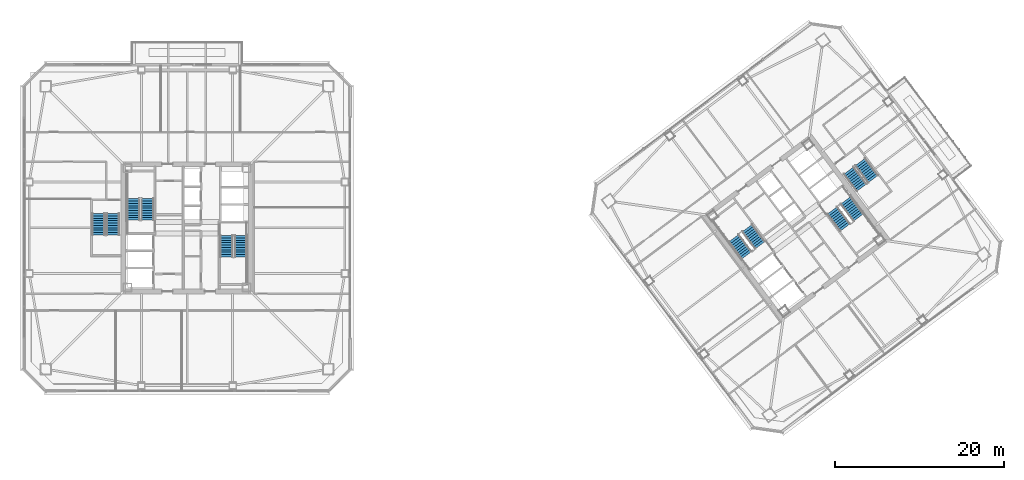
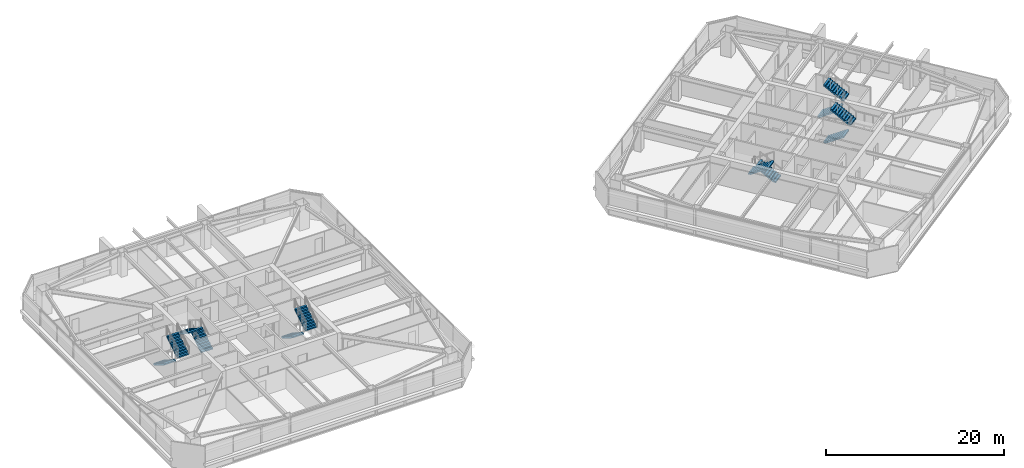
# One storey, part 38 of 44: 12 stair flights, 6 elements without a shape of their own.
"""IFC4 building model written with IfcOpenShell, lengths in metres."""

from ifc_helpers import new_model, si_unit, direction, frame, origin, place, context, subcontext, project, spatial, polyline, outline, extrude, material, type_object, element, aggregate, save


model = new_model("IFC4")

# Units and contexts
model_context = context("Model", 3, precision=1e-05, world=origin(), true_north=direction((0.0, 1.0)))
body_context = subcontext(model_context, "Body", "Model", "MODEL_VIEW")
ifc_project = project(units=[si_unit("LENGTHUNIT", "METRE"), si_unit("AREAUNIT", "SQUARE_METRE"), si_unit("VOLUMEUNIT", "CUBIC_METRE"), si_unit("PLANEANGLEUNIT", "RADIAN"), si_unit("MASSUNIT", "GRAM", prefix="KILO")], contexts=[model_context])

# Site, building, storey
site_placement = place(None, origin())
site = spatial("IfcSite", under=ifc_project, at=site_placement, CompositionType="ELEMENT")
building_placement = place(site_placement, origin())
building = spatial("IfcBuilding", under=site, at=building_placement, Name="Tashvorn Skyway Center", CompositionType="ELEMENT")
storey_placement = place(building_placement, frame((0.0, 0.0, 149.89990234375)))
storey = spatial("IfcBuildingStorey", under=building, at=storey_placement, Name="L40", CompositionType="ELEMENT", Elevation=149.89990234375)

# Stair, stair flights
ifc_material = material(Name="Concrete C40/50", Category="concrete")
stair_type = type_object("IfcStairType", Name="STAIR-CORE-1500", PredefinedType="HALF_TURN_STAIR", material=ifc_material)
stair_1_placement = place(storey_placement, origin())
stair_1 = element("IfcStair", 1, at=stair_1_placement, inside=storey, type_object=stair_type, Name="L40 Tower 1 Exit Stair 1", PredefinedType="HALF_TURN_STAIR")
stair_flight_type = type_object("IfcStairFlightType", Name="SFLIGHT-1500", PredefinedType="STRAIGHT", material=ifc_material)
stair_flight_1_placement = place(storey_placement, frame((37.35009765625, 32.919921875, 0.0), z_axis=(0.0, 0.0, 1.0), x_axis=(0.0, 1.0, 0.0)))
stair_flight_1 = element("IfcStairFlight", 2, at=stair_flight_1_placement, type_object=stair_flight_type, Name="ST-T1-1 flight 1", NumberOfRisers=10, NumberOfTreads=9, PredefinedType="STRAIGHT", RiserHeight=0.1775, TreadLength=0.28, context=body_context, shape_type="SweptSolid", body=[
    extrude(outline(polyline([(0.0, 0.0), (0.0, 0.177490234375), (0.280029296875, 0.177490234375), (0.280029296875, 0.35498046875), (0.56005859375, 0.35498046875), (0.56005859375, 0.532470703125), (0.840087890625, 0.532470703125), (0.840087890625, 0.7099609375), (1.1201171875, 0.7099609375), (1.1201171875, 0.887451171875), (1.39990234375, 0.887451171875), (1.39990234375, 1.06494140625), (1.679931640625, 1.06494140625), (1.679931640625, 1.242431640625), (1.9599609375, 1.242431640625), (1.9599609375, 1.419921875), (2.239990234375, 1.419921875), (2.239990234375, 1.597412109375), (2.52001953125, 1.597412109375), (2.52001953125, 1.77490234375), (2.52001953125, 1.419921875), (0.280029296875, 0.0), (0.0, 0.0)])), frame((0.0, 0.75, 0.0), z_axis=(0.0, -1.0, 0.0), x_axis=(1.0, 0.0, 0.0)), (0.0, 0.0, 1.0), 1.5),
])
stair_flight_2_placement = place(storey_placement, frame((35.64990234375, 35.43994140625, 1.775146484375), z_axis=(0.0, 0.0, 1.0), x_axis=(0.0, -1.0, 0.0)))
stair_flight_2 = element("IfcStairFlight", 3, at=stair_flight_2_placement, type_object=stair_flight_type, Name="ST-T1-1 flight 2", NumberOfRisers=10, NumberOfTreads=9, PredefinedType="STRAIGHT", RiserHeight=0.1775, TreadLength=0.28, context=body_context, shape_type="SweptSolid", body=[
    extrude(outline(polyline([(0.0, 0.0), (0.0, 0.177490234375), (0.280029296875, 0.177490234375), (0.280029296875, 0.35498046875), (0.56005859375, 0.35498046875), (0.56005859375, 0.532470703125), (0.840087890625, 0.532470703125), (0.840087890625, 0.7099609375), (1.1201171875, 0.7099609375), (1.1201171875, 0.887451171875), (1.39990234375, 0.887451171875), (1.39990234375, 1.06494140625), (1.679931640625, 1.06494140625), (1.679931640625, 1.242431640625), (1.9599609375, 1.242431640625), (1.9599609375, 1.419921875), (2.239990234375, 1.419921875), (2.239990234375, 1.597412109375), (2.52001953125, 1.597412109375), (2.52001953125, 1.77490234375), (2.52001953125, 1.419921875), (0.280029296875, 0.0), (0.0, 0.0)])), frame((0.0, 0.75, 0.0), z_axis=(0.0, -1.0, 0.0), x_axis=(1.0, 0.0, 0.0)), (0.0, 0.0, 1.0), 1.5),
])
aggregate(stair_1, [stair_flight_1, stair_flight_2])

stair_2_placement = place(storey_placement, origin())
stair_2 = element("IfcStair", 4, at=stair_2_placement, inside=storey, type_object=stair_type, Name="L40 Tower 1 Exit Stair 2", PredefinedType="HALF_TURN_STAIR")
stair_flight_3_placement = place(storey_placement, frame((46.64990234375, 31.080078125, 0.0), z_axis=(0.0, 0.0, 1.0), x_axis=(0.0, -1.0, 0.0)))
stair_flight_3 = element("IfcStairFlight", 5, at=stair_flight_3_placement, type_object=stair_flight_type, Name="ST-T1-2 flight 1", NumberOfRisers=10, NumberOfTreads=9, PredefinedType="STRAIGHT", RiserHeight=0.1775, TreadLength=0.28, context=body_context, shape_type="SweptSolid", body=[
    extrude(outline(polyline([(0.0, 0.0), (0.0, 0.177490234375), (0.280029296875, 0.177490234375), (0.280029296875, 0.35498046875), (0.56005859375, 0.35498046875), (0.56005859375, 0.532470703125), (0.840087890625, 0.532470703125), (0.840087890625, 0.7099609375), (1.1201171875, 0.7099609375), (1.1201171875, 0.887451171875), (1.39990234375, 0.887451171875), (1.39990234375, 1.06494140625), (1.679931640625, 1.06494140625), (1.679931640625, 1.242431640625), (1.9599609375, 1.242431640625), (1.9599609375, 1.419921875), (2.239990234375, 1.419921875), (2.239990234375, 1.597412109375), (2.52001953125, 1.597412109375), (2.52001953125, 1.77490234375), (2.52001953125, 1.419921875), (0.280029296875, 0.0), (0.0, 0.0)])), frame((0.0, 0.75, 0.0), z_axis=(0.0, -1.0, 0.0), x_axis=(1.0, 0.0, 0.0)), (0.0, 0.0, 1.0), 1.5),
])
stair_flight_4_placement = place(storey_placement, frame((48.35009765625, 28.56005859375, 1.775146484375), z_axis=(0.0, 0.0, 1.0), x_axis=(0.0, 1.0, 0.0)))
stair_flight_4 = element("IfcStairFlight", 6, at=stair_flight_4_placement, type_object=stair_flight_type, Name="ST-T1-2 flight 2", NumberOfRisers=10, NumberOfTreads=9, PredefinedType="STRAIGHT", RiserHeight=0.1775, TreadLength=0.28, context=body_context, shape_type="SweptSolid", body=[
    extrude(outline(polyline([(0.0, 0.0), (0.0, 0.177490234375), (0.280029296875, 0.177490234375), (0.280029296875, 0.35498046875), (0.56005859375, 0.35498046875), (0.56005859375, 0.532470703125), (0.840087890625, 0.532470703125), (0.840087890625, 0.7099609375), (1.1201171875, 0.7099609375), (1.1201171875, 0.887451171875), (1.39990234375, 0.887451171875), (1.39990234375, 1.06494140625), (1.679931640625, 1.06494140625), (1.679931640625, 1.242431640625), (1.9599609375, 1.242431640625), (1.9599609375, 1.419921875), (2.239990234375, 1.419921875), (2.239990234375, 1.597412109375), (2.52001953125, 1.597412109375), (2.52001953125, 1.77490234375), (2.52001953125, 1.419921875), (0.280029296875, 0.0), (0.0, 0.0)])), frame((0.0, 0.75, 0.0), z_axis=(0.0, -1.0, 0.0), x_axis=(1.0, 0.0, 0.0)), (0.0, 0.0, 1.0), 1.5),
])
aggregate(stair_2, [stair_flight_3, stair_flight_4])

stair_3_placement = place(storey_placement, origin())
stair_3 = element("IfcStair", 7, at=stair_3_placement, inside=storey, type_object=stair_type, Name="L40 Tower 2 Exit Stair 1", PredefinedType="HALF_TURN_STAIR")
stair_flight_5_placement = place(storey_placement, frame((109.72802734375, 29.946044921875, 0.0), z_axis=(0.0, 0.0, 1.0), x_axis=(-0.600000004945, 0.799999996291, 0.0)))
stair_flight_5 = element("IfcStairFlight", 8, at=stair_flight_5_placement, type_object=stair_flight_type, Name="ST-T2-1 flight 1", NumberOfRisers=10, NumberOfTreads=9, PredefinedType="STRAIGHT", RiserHeight=0.1775, TreadLength=0.28, context=body_context, shape_type="SweptSolid", body=[
    extrude(outline(polyline([(0.0, 0.0), (0.0, 0.177490234375), (0.280029296875, 0.177490234375), (0.280029296875, 0.35498046875), (0.56005859375, 0.35498046875), (0.56005859375, 0.532470703125), (0.840087890625, 0.532470703125), (0.840087890625, 0.7099609375), (1.1201171875, 0.7099609375), (1.1201171875, 0.887451171875), (1.39990234375, 0.887451171875), (1.39990234375, 1.06494140625), (1.679931640625, 1.06494140625), (1.679931640625, 1.242431640625), (1.9599609375, 1.242431640625), (1.9599609375, 1.419921875), (2.239990234375, 1.419921875), (2.239990234375, 1.597412109375), (2.52001953125, 1.597412109375), (2.52001953125, 1.77490234375), (2.52001953125, 1.419921875), (0.280029296875, 0.0), (0.0, 0.0)])), frame((0.0, 0.75, 0.0), z_axis=(0.0, -1.0, 0.0), x_axis=(1.0, 0.0, 0.0)), (0.0, 0.0, 1.0), 1.5),
])
stair_flight_6_placement = place(storey_placement, frame((106.632080078125, 30.77392578125, 1.775146484375), z_axis=(0.0, 0.0, 1.0), x_axis=(0.600000004945, -0.799999996291, 0.0)))
stair_flight_6 = element("IfcStairFlight", 9, at=stair_flight_6_placement, type_object=stair_flight_type, Name="ST-T2-1 flight 2", NumberOfRisers=10, NumberOfTreads=9, PredefinedType="STRAIGHT", RiserHeight=0.1775, TreadLength=0.28, context=body_context, shape_type="SweptSolid", body=[
    extrude(outline(polyline([(0.0, 0.0), (0.0, 0.177490234375), (0.280029296875, 0.177490234375), (0.280029296875, 0.35498046875), (0.56005859375, 0.35498046875), (0.56005859375, 0.532470703125), (0.840087890625, 0.532470703125), (0.840087890625, 0.7099609375), (1.1201171875, 0.7099609375), (1.1201171875, 0.887451171875), (1.39990234375, 0.887451171875), (1.39990234375, 1.06494140625), (1.679931640625, 1.06494140625), (1.679931640625, 1.242431640625), (1.9599609375, 1.242431640625), (1.9599609375, 1.419921875), (2.239990234375, 1.419921875), (2.239990234375, 1.597412109375), (2.52001953125, 1.597412109375), (2.52001953125, 1.77490234375), (2.52001953125, 1.419921875), (0.280029296875, 0.0), (0.0, 0.0)])), frame((0.0, 0.75, 0.0), z_axis=(0.0, -1.0, 0.0), x_axis=(1.0, 0.0, 0.0)), (0.0, 0.0, 1.0), 1.5),
])
aggregate(stair_3, [stair_flight_5, stair_flight_6])

stair_4_placement = place(storey_placement, origin())
stair_4 = element("IfcStair", 10, at=stair_4_placement, inside=storey, type_object=stair_type, Name="L40 Tower 2 Exit Stair 2", PredefinedType="HALF_TURN_STAIR")
stair_flight_7_placement = place(storey_placement, frame((118.27197265625, 34.053955078125, 0.0), z_axis=(0.0, 0.0, 1.0), x_axis=(0.600000004945, -0.799999996291, 0.0)))
stair_flight_7 = element("IfcStairFlight", 11, at=stair_flight_7_placement, type_object=stair_flight_type, Name="ST-T2-2 flight 1", NumberOfRisers=10, NumberOfTreads=9, PredefinedType="STRAIGHT", RiserHeight=0.1775, TreadLength=0.28, context=body_context, shape_type="SweptSolid", body=[
    extrude(outline(polyline([(0.0, 0.0), (0.0, 0.177490234375), (0.280029296875, 0.177490234375), (0.280029296875, 0.35498046875), (0.56005859375, 0.35498046875), (0.56005859375, 0.532470703125), (0.840087890625, 0.532470703125), (0.840087890625, 0.7099609375), (1.1201171875, 0.7099609375), (1.1201171875, 0.887451171875), (1.39990234375, 0.887451171875), (1.39990234375, 1.06494140625), (1.679931640625, 1.06494140625), (1.679931640625, 1.242431640625), (1.9599609375, 1.242431640625), (1.9599609375, 1.419921875), (2.239990234375, 1.419921875), (2.239990234375, 1.597412109375), (2.52001953125, 1.597412109375), (2.52001953125, 1.77490234375), (2.52001953125, 1.419921875), (0.280029296875, 0.0), (0.0, 0.0)])), frame((0.0, 0.75, 0.0), z_axis=(0.0, -1.0, 0.0), x_axis=(1.0, 0.0, 0.0)), (0.0, 0.0, 1.0), 1.5),
])
stair_flight_8_placement = place(storey_placement, frame((121.367919921875, 33.22607421875, 1.775146484375), z_axis=(0.0, 0.0, 1.0), x_axis=(-0.600000004945, 0.799999996291, 0.0)))
stair_flight_8 = element("IfcStairFlight", 12, at=stair_flight_8_placement, type_object=stair_flight_type, Name="ST-T2-2 flight 2", NumberOfRisers=10, NumberOfTreads=9, PredefinedType="STRAIGHT", RiserHeight=0.1775, TreadLength=0.28, context=body_context, shape_type="SweptSolid", body=[
    extrude(outline(polyline([(0.0, 0.0), (0.0, 0.177490234375), (0.280029296875, 0.177490234375), (0.280029296875, 0.35498046875), (0.56005859375, 0.35498046875), (0.56005859375, 0.532470703125), (0.840087890625, 0.532470703125), (0.840087890625, 0.7099609375), (1.1201171875, 0.7099609375), (1.1201171875, 0.887451171875), (1.39990234375, 0.887451171875), (1.39990234375, 1.06494140625), (1.679931640625, 1.06494140625), (1.679931640625, 1.242431640625), (1.9599609375, 1.242431640625), (1.9599609375, 1.419921875), (2.239990234375, 1.419921875), (2.239990234375, 1.597412109375), (2.52001953125, 1.597412109375), (2.52001953125, 1.77490234375), (2.52001953125, 1.419921875), (0.280029296875, 0.0), (0.0, 0.0)])), frame((0.0, 0.75, 0.0), z_axis=(0.0, -1.0, 0.0), x_axis=(1.0, 0.0, 0.0)), (0.0, 0.0, 1.0), 1.5),
])
aggregate(stair_4, [stair_flight_7, stair_flight_8])

stair_5_placement = place(storey_placement, origin())
stair_5 = element("IfcStair", 13, at=stair_5_placement, inside=storey, type_object=stair_type, Name="L40 Tower 1 Exit Stair 3", PredefinedType="HALF_TURN_STAIR")
stair_flight_9_placement = place(storey_placement, frame((31.550048828125, 33.679931640625, 0.0), z_axis=(0.0, 0.0, 1.0), x_axis=(0.0, -1.0, 0.0)))
stair_flight_9 = element("IfcStairFlight", 14, at=stair_flight_9_placement, type_object=stair_flight_type, Name="ST-T1-3 flight 1", NumberOfRisers=10, NumberOfTreads=9, PredefinedType="STRAIGHT", RiserHeight=0.1775, TreadLength=0.28, context=body_context, shape_type="SweptSolid", body=[
    extrude(outline(polyline([(0.0, 0.0), (0.0, 0.177490234375), (0.280029296875, 0.177490234375), (0.280029296875, 0.35498046875), (0.56005859375, 0.35498046875), (0.56005859375, 0.532470703125), (0.840087890625, 0.532470703125), (0.840087890625, 0.7099609375), (1.1201171875, 0.7099609375), (1.1201171875, 0.887451171875), (1.39990234375, 0.887451171875), (1.39990234375, 1.06494140625), (1.679931640625, 1.06494140625), (1.679931640625, 1.242431640625), (1.9599609375, 1.242431640625), (1.9599609375, 1.419921875), (2.239990234375, 1.419921875), (2.239990234375, 1.597412109375), (2.52001953125, 1.597412109375), (2.52001953125, 1.77490234375), (2.52001953125, 1.419921875), (0.280029296875, 0.0), (0.0, 0.0)])), frame((0.0, 0.75, 0.0), z_axis=(0.0, -1.0, 0.0), x_axis=(1.0, 0.0, 0.0)), (0.0, 0.0, 1.0), 1.5),
])
stair_flight_10_placement = place(storey_placement, frame((33.25, 31.159912109375, 1.775146484375), z_axis=(0.0, 0.0, 1.0), x_axis=(0.0, 1.0, 0.0)))
stair_flight_10 = element("IfcStairFlight", 15, at=stair_flight_10_placement, type_object=stair_flight_type, Name="ST-T1-3 flight 2", NumberOfRisers=10, NumberOfTreads=9, PredefinedType="STRAIGHT", RiserHeight=0.1775, TreadLength=0.28, context=body_context, shape_type="SweptSolid", body=[
    extrude(outline(polyline([(0.0, 0.0), (0.0, 0.177490234375), (0.280029296875, 0.177490234375), (0.280029296875, 0.35498046875), (0.56005859375, 0.35498046875), (0.56005859375, 0.532470703125), (0.840087890625, 0.532470703125), (0.840087890625, 0.7099609375), (1.1201171875, 0.7099609375), (1.1201171875, 0.887451171875), (1.39990234375, 0.887451171875), (1.39990234375, 1.06494140625), (1.679931640625, 1.06494140625), (1.679931640625, 1.242431640625), (1.9599609375, 1.242431640625), (1.9599609375, 1.419921875), (2.239990234375, 1.419921875), (2.239990234375, 1.597412109375), (2.52001953125, 1.597412109375), (2.52001953125, 1.77490234375), (2.52001953125, 1.419921875), (0.280029296875, 0.0), (0.0, 0.0)])), frame((0.0, 0.75, 0.0), z_axis=(0.0, -1.0, 0.0), x_axis=(1.0, 0.0, 0.0)), (0.0, 0.0, 1.0), 1.5),
])
aggregate(stair_5, [stair_flight_9, stair_flight_10])

stair_6_placement = place(storey_placement, origin())
stair_6 = element("IfcStair", 16, at=stair_6_placement, inside=storey, type_object=stair_type, Name="L40 Tower 2 Exit Stair 3", PredefinedType="HALF_TURN_STAIR")
stair_flight_11_placement = place(storey_placement, frame((120.216064453125, 38.761962890625, 0.0), z_axis=(0.0, 0.0, 1.0), x_axis=(0.600000004945, -0.799999996291, 0.0)))
stair_flight_11 = element("IfcStairFlight", 17, at=stair_flight_11_placement, type_object=stair_flight_type, Name="ST-T2-3 flight 1", NumberOfRisers=10, NumberOfTreads=9, PredefinedType="STRAIGHT", RiserHeight=0.1775, TreadLength=0.28, context=body_context, shape_type="SweptSolid", body=[
    extrude(outline(polyline([(0.0, 0.0), (0.0, 0.177490234375), (0.280029296875, 0.177490234375), (0.280029296875, 0.35498046875), (0.56005859375, 0.35498046875), (0.56005859375, 0.532470703125), (0.840087890625, 0.532470703125), (0.840087890625, 0.7099609375), (1.1201171875, 0.7099609375), (1.1201171875, 0.887451171875), (1.39990234375, 0.887451171875), (1.39990234375, 1.06494140625), (1.679931640625, 1.06494140625), (1.679931640625, 1.242431640625), (1.9599609375, 1.242431640625), (1.9599609375, 1.419921875), (2.239990234375, 1.419921875), (2.239990234375, 1.597412109375), (2.52001953125, 1.597412109375), (2.52001953125, 1.77490234375), (2.52001953125, 1.419921875), (0.280029296875, 0.0), (0.0, 0.0)])), frame((0.0, 0.75, 0.0), z_axis=(0.0, -1.0, 0.0), x_axis=(1.0, 0.0, 0.0)), (0.0, 0.0, 1.0), 1.5),
])
stair_flight_12_placement = place(storey_placement, frame((123.087890625, 37.76611328125, 1.775146484375), z_axis=(0.0, 0.0, 1.0), x_axis=(-0.600000004945, 0.799999996291, 0.0)))
stair_flight_12 = element("IfcStairFlight", 18, at=stair_flight_12_placement, type_object=stair_flight_type, Name="ST-T2-3 flight 2", NumberOfRisers=10, NumberOfTreads=9, PredefinedType="STRAIGHT", RiserHeight=0.1775, TreadLength=0.28, context=body_context, shape_type="SweptSolid", body=[
    extrude(outline(polyline([(0.0, 0.0), (0.0, 0.177490234375), (0.280029296875, 0.177490234375), (0.280029296875, 0.35498046875), (0.56005859375, 0.35498046875), (0.56005859375, 0.532470703125), (0.840087890625, 0.532470703125), (0.840087890625, 0.7099609375), (1.1201171875, 0.7099609375), (1.1201171875, 0.887451171875), (1.39990234375, 0.887451171875), (1.39990234375, 1.06494140625), (1.679931640625, 1.06494140625), (1.679931640625, 1.242431640625), (1.9599609375, 1.242431640625), (1.9599609375, 1.419921875), (2.239990234375, 1.419921875), (2.239990234375, 1.597412109375), (2.52001953125, 1.597412109375), (2.52001953125, 1.77490234375), (2.52001953125, 1.419921875), (0.280029296875, 0.0), (0.0, 0.0)])), frame((0.0, 0.75, 0.0), z_axis=(0.0, -1.0, 0.0), x_axis=(1.0, 0.0, 0.0)), (0.0, 0.0, 1.0), 1.5),
])
aggregate(stair_6, [stair_flight_11, stair_flight_12])

save(model, "model.ifc")
